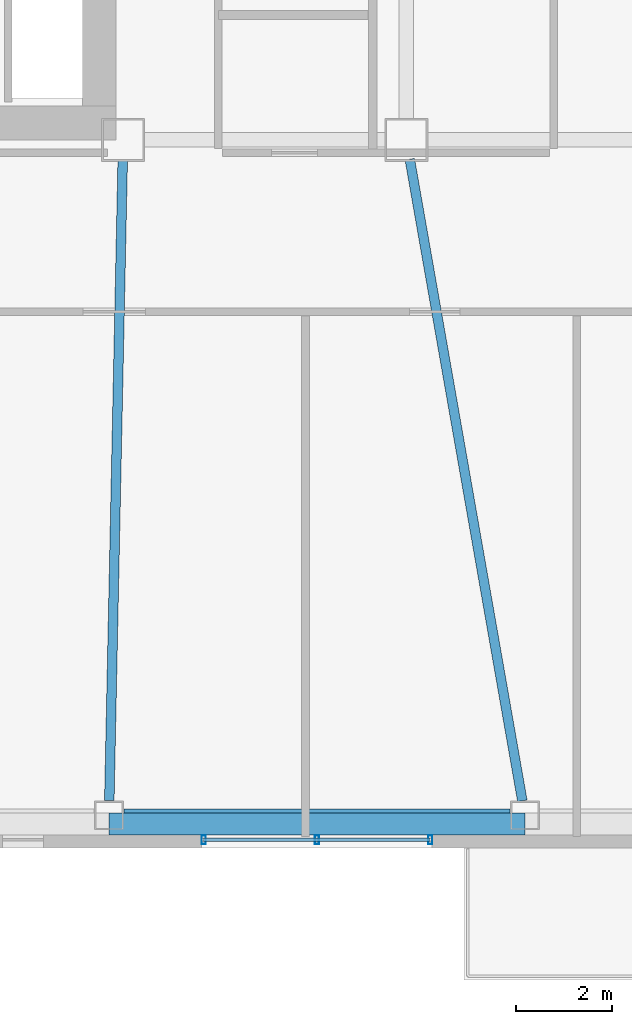
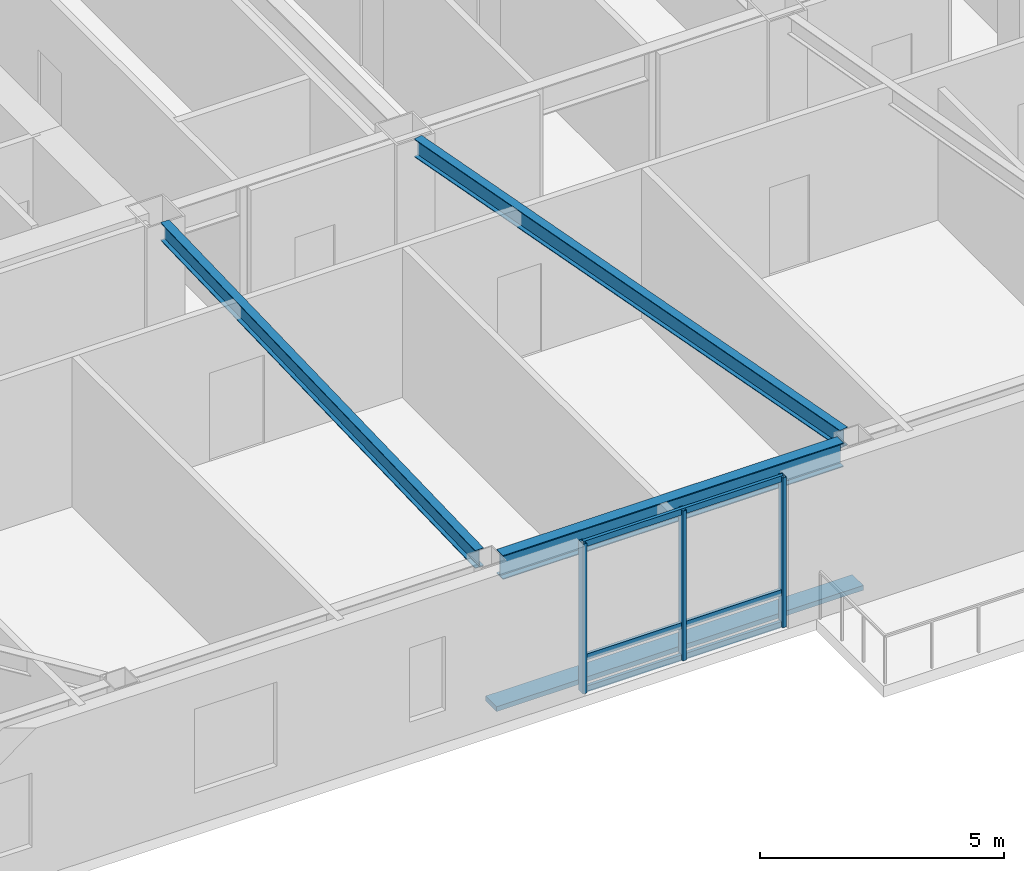
# One storey, part 2 of 19: 7 members, 3 beams, 1 element without a shape of its own.
"""IFC4 building model written with IfcOpenShell, lengths in metres."""

from ifc_helpers import new_model, si_unit, direction, frame, origin, origin_2d, place, context, subcontext, project, spatial, rectangle, hollow_rectangle, i_section, extrude, material, layer, layer_set, material_profile, profile_set, type_object, element, aggregate, save


model = new_model("IFC4")

# Units and contexts
model_context = context("Model", 3, precision=1e-05, world=origin(), true_north=direction((0.0, 1.0)))
body_context = subcontext(model_context, "Body", "Model", "MODEL_VIEW")
ifc_project = project(units=[si_unit("LENGTHUNIT", "METRE"), si_unit("AREAUNIT", "SQUARE_METRE"), si_unit("VOLUMEUNIT", "CUBIC_METRE"), si_unit("PLANEANGLEUNIT", "RADIAN"), si_unit("MASSUNIT", "GRAM", prefix="KILO")], contexts=[model_context])

# Site, building, storey
site_placement = place(None, origin())
site = spatial("IfcSite", under=ifc_project, at=site_placement, CompositionType="ELEMENT")
building_placement = place(site_placement, origin())
building = spatial("IfcBuilding", under=site, at=building_placement, Name="Tavrogorsk Clinical Tower", CompositionType="ELEMENT")
storey_placement = place(building_placement, frame((0.0, 0.0, 188.199951171875)))
storey = spatial("IfcBuildingStorey", under=building, at=storey_placement, Name="L43", CompositionType="ELEMENT", Elevation=188.199951171875)

# Member
ifc_material_1 = material(Name="Anodised aluminium alloy AW-6063", Category="aluminium")
ifc_material_profile_1 = material_profile(ifc_material_1, rectangle(XDim=0.449951171875, YDim=0.1201171875, at=origin_2d()), Name="ALU-SUNSHADE-450x120")
ifc_profile_set_1 = profile_set([ifc_material_profile_1], Name="Anodised aluminium alloy AW-6063")
member_type_1 = type_object("IfcMemberType", Name="ChicagoSunshade_450x120", PredefinedType="USERDEFINED", material=ifc_profile_set_1)
member_1_placement = place(storey_placement, frame((-10.59423828125, -20.60009765625, 0.179931640625), z_axis=(1.0, 0.0, 0.0), x_axis=(0.0, 1.0, 0.0)))
element("IfcMember", 1, at=member_1_placement, inside=storey, type_object=member_type_1, Name="L43 South Aluminium Sunshade S3", ObjectType="SUNSHADE", PredefinedType="USERDEFINED", context=body_context, shape_type="SweptSolid", body=[
    extrude(rectangle(XDim=0.449951171875, YDim=0.1201171875, at=origin_2d()), origin(), (0.0, 0.0, 1.0), 8.662841796875),
])

# Curtain wall, members
ifc_material_2 = material(Name="Anodised aluminium and triple IGU glazing", Category="aluminium")
ifc_layer = layer(ifc_material_2, 0.179931640625)
ifc_layer_set = layer_set([ifc_layer], Name="Anodised aluminium and triple IGU glazing")
curtain_wall_type = type_object("IfcCurtainWallType", Name="CW3_SouthSlot", PredefinedType="NOTDEFINED", material=ifc_layer_set)
curtain_wall_placement = place(storey_placement, origin())
curtain_wall = element("IfcCurtainWall", 2, at=curtain_wall_placement, inside=storey, type_object=curtain_wall_type, Name="L43 Curtain Wall CW-L43-S-SLOT-1", PredefinedType="NOTDEFINED")
ifc_material_3 = material(Name="Anodised aluminium alloy AW-6060", Category="aluminium")
ifc_material_profile_2 = material_profile(ifc_material_3, hollow_rectangle(XDim=0.090087890625, YDim=0.179931640625, WallThickness=0.00634765625, at=origin_2d()), Name="RHS-180x90x6.3")
ifc_profile_set_2 = profile_set([ifc_material_profile_2], Name="Anodised aluminium alloy AW-6060")
member_type_2 = type_object("IfcMemberType", Name="CwMullion_180x90", PredefinedType="MULLION", material=ifc_profile_set_2)
member_2_placement = place(storey_placement, frame((-8.621826171875, -20.929931640625, 0.0), z_axis=(0.0, 0.0, 1.0), x_axis=(1.0, 0.0, 0.0)))
member_2 = element("IfcMember", 3, at=member_2_placement, type_object=member_type_2, Name="CW-L43-S-SLOT-1 Mullion 1", PredefinedType="MULLION", context=body_context, shape_type="SweptSolid", body=[
    extrude(hollow_rectangle(XDim=0.090087890625, YDim=0.179931640625, WallThickness=0.00634765625, at=origin_2d()), origin(), (0.0, 0.0, 1.0), 3.739990234375),
])
member_3_placement = place(storey_placement, frame((-6.262939453125, -20.929931640625, 0.0), z_axis=(0.0, 0.0, 1.0), x_axis=(1.0, 0.0, 0.0)))
member_3 = element("IfcMember", 4, at=member_3_placement, type_object=member_type_2, Name="CW-L43-S-SLOT-1 Mullion 2", PredefinedType="MULLION", context=body_context, shape_type="SweptSolid", body=[
    extrude(hollow_rectangle(XDim=0.090087890625, YDim=0.179931640625, WallThickness=0.00634765625, at=origin_2d()), origin(), (0.0, 0.0, 1.0), 3.739990234375),
])
member_4_placement = place(storey_placement, frame((-3.90380859375, -20.929931640625, 0.0), z_axis=(0.0, 0.0, 1.0), x_axis=(1.0, 0.0, 0.0)))
member_4 = element("IfcMember", 5, at=member_4_placement, type_object=member_type_2, Name="CW-L43-S-SLOT-1 Mullion 3", PredefinedType="MULLION", context=body_context, shape_type="SweptSolid", body=[
    extrude(hollow_rectangle(XDim=0.090087890625, YDim=0.179931640625, WallThickness=0.00634765625, at=origin_2d()), origin(), (0.0, 0.0, 1.0), 3.739990234375),
])
ifc_material_4 = material(Name="Anodised aluminium alloy AW-6060", Category="aluminium")
ifc_material_profile_3 = material_profile(ifc_material_4, hollow_rectangle(XDim=0.074951171875, YDim=0.14990234375, WallThickness=0.0048828125, at=origin_2d()), Name="RHS-150x75x5")
ifc_profile_set_3 = profile_set([ifc_material_profile_3], Name="Anodised aluminium alloy AW-6060")
member_type_3 = type_object("IfcMemberType", Name="CwTransom_150x75", PredefinedType="USERDEFINED", material=ifc_profile_set_3)
member_5_placement = place(storey_placement, frame((-8.621826171875, -20.929931640625, 0.050048828125), z_axis=(1.0, 0.0, 0.0), x_axis=(0.0, 1.0, 0.0)))
member_5 = element("IfcMember", 6, at=member_5_placement, type_object=member_type_3, Name="CW-L43-S-SLOT-1 Transom 1", ObjectType="TRANSOM", PredefinedType="USERDEFINED", context=body_context, shape_type="SweptSolid", body=[
    extrude(hollow_rectangle(XDim=0.074951171875, YDim=0.14990234375, WallThickness=0.0048828125, at=origin_2d()), origin(), (0.0, 0.0, 1.0), 4.718017578125),
])
member_6_placement = place(storey_placement, frame((-8.621826171875, -20.929931640625, 0.85009765625), z_axis=(1.0, 0.0, 0.0), x_axis=(0.0, 1.0, 0.0)))
member_6 = element("IfcMember", 7, at=member_6_placement, type_object=member_type_3, Name="CW-L43-S-SLOT-1 Transom 2", ObjectType="TRANSOM", PredefinedType="USERDEFINED", context=body_context, shape_type="SweptSolid", body=[
    extrude(hollow_rectangle(XDim=0.074951171875, YDim=0.14990234375, WallThickness=0.0048828125, at=origin_2d()), origin(), (0.0, 0.0, 1.0), 4.718017578125),
])
member_7_placement = place(storey_placement, frame((-8.621826171875, -20.929931640625, 3.68994140625), z_axis=(1.0, 0.0, 0.0), x_axis=(0.0, 1.0, 0.0)))
member_7 = element("IfcMember", 8, at=member_7_placement, type_object=member_type_3, Name="CW-L43-S-SLOT-1 Transom 3", ObjectType="TRANSOM", PredefinedType="USERDEFINED", context=body_context, shape_type="SweptSolid", body=[
    extrude(hollow_rectangle(XDim=0.074951171875, YDim=0.14990234375, WallThickness=0.0048828125, at=origin_2d()), origin(), (0.0, 0.0, 1.0), 4.718017578125),
])
aggregate(curtain_wall, [member_2, member_3, member_4, member_5, member_6, member_7])

# Beams
ifc_material_5 = material(Name="Structural steel S355", Category="steel")
ifc_material_profile_4 = material_profile(ifc_material_5, i_section(OverallWidth=0.199951171875, OverallDepth=0.449951171875, WebThickness=0.011474609375, FlangeThickness=0.01806640625, at=origin_2d()), Name="B-450x200x11.5x18")
ifc_profile_set_4 = profile_set([ifc_material_profile_4], Name="Structural steel S355")
beam_type_1 = type_object("IfcBeamType", Name="FloorBeam_B450", PredefinedType="BEAM", material=ifc_profile_set_4)
beam_1_placement = place(storey_placement, frame((-10.30859375, -6.760009765625, 3.51513671875), z_axis=(-0.020913325994, -0.999781292481, 0.0), x_axis=(0.999781292481, -0.020913325994, 0.0)))
element("IfcBeam", 9, at=beam_1_placement, inside=storey, type_object=beam_type_1, Name="L43 Radial Floor Beam S3", PredefinedType="BEAM", context=body_context, shape_type="SweptSolid", body=[
    extrude(i_section(OverallWidth=0.199951171875, OverallDepth=0.449951171875, WebThickness=0.011474609375, FlangeThickness=0.01806640625, at=origin_2d()), origin(), (0.0, 0.0, 1.0), 13.35498046875),
])
beam_2_placement = place(storey_placement, frame((-4.3291015625, -6.75390625, 3.51513671875), z_axis=(0.172808972689, -0.984955358866, 0.0), x_axis=(0.984955358866, 0.172808972689, 0.0)))
element("IfcBeam", 10, at=beam_2_placement, inside=storey, type_object=beam_type_1, Name="L43 Radial Floor Beam S4", PredefinedType="BEAM", context=body_context, shape_type="SweptSolid", body=[
    extrude(i_section(OverallWidth=0.199951171875, OverallDepth=0.449951171875, WebThickness=0.011474609375, FlangeThickness=0.01806640625, at=origin_2d()), origin(), (0.0, 0.0, 1.0), 13.56689453125),
])
ifc_material_6 = material(Name="Structural steel S390", Category="steel")
ifc_material_profile_5 = material_profile(ifc_material_6, i_section(OverallWidth=0.260009765625, OverallDepth=0.60009765625, WebThickness=0.014892578125, FlangeThickness=0.02392578125, at=origin_2d()), Name="B-600x260x15x24")
ifc_profile_set_5 = profile_set([ifc_material_profile_5], Name="Structural steel S390")
beam_type_2 = type_object("IfcBeamType", Name="SpandrelBeam_B600", PredefinedType="SPANDREL", material=ifc_profile_set_5)
beam_3_placement = place(storey_placement, frame((-10.286376953125, -20.419921875, 3.43994140625), z_axis=(1.0, 0.0, 0.0), x_axis=(0.0, 1.0, 0.0)))
element("IfcBeam", 11, at=beam_3_placement, inside=storey, type_object=beam_type_2, Name="L43 Perimeter Spandrel S3-S4", PredefinedType="SPANDREL", context=body_context, shape_type="SweptSolid", body=[
    extrude(i_section(OverallWidth=0.260009765625, OverallDepth=0.60009765625, WebThickness=0.014892578125, FlangeThickness=0.02392578125, at=origin_2d()), origin(), (0.0, 0.0, 1.0), 8.046875),
])

save(model, "model.ifc")
